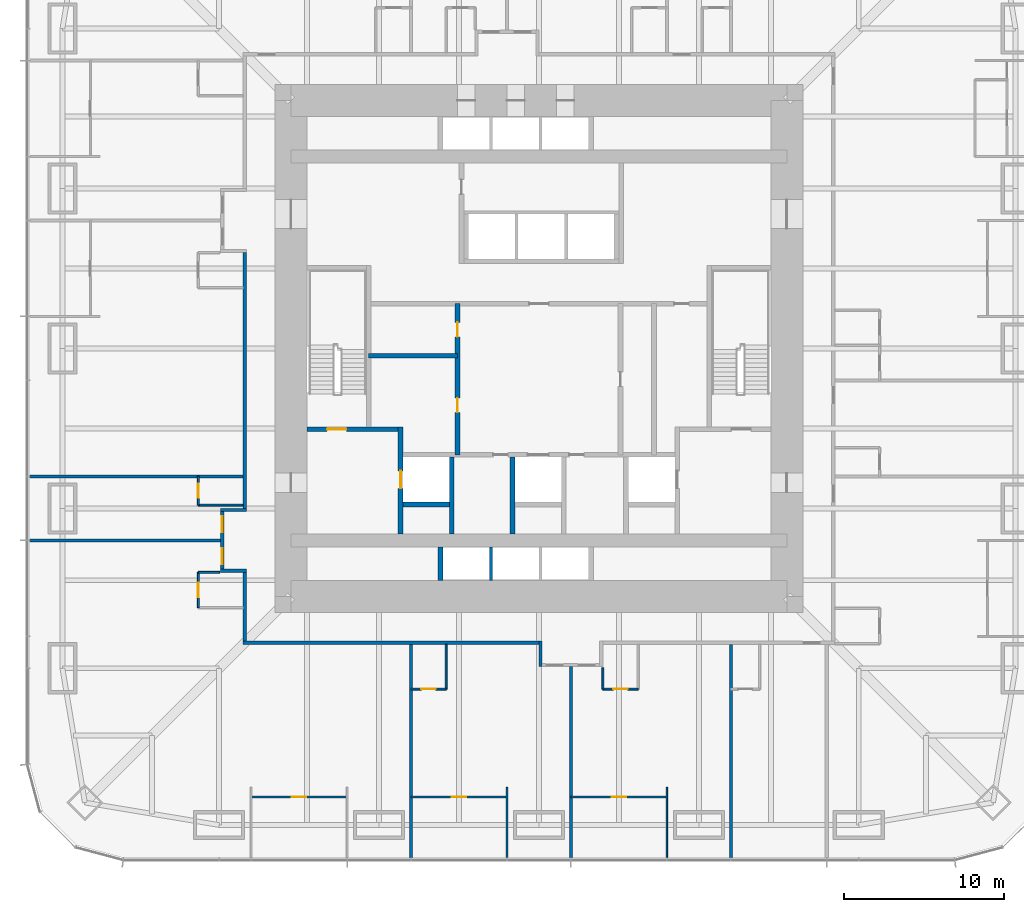
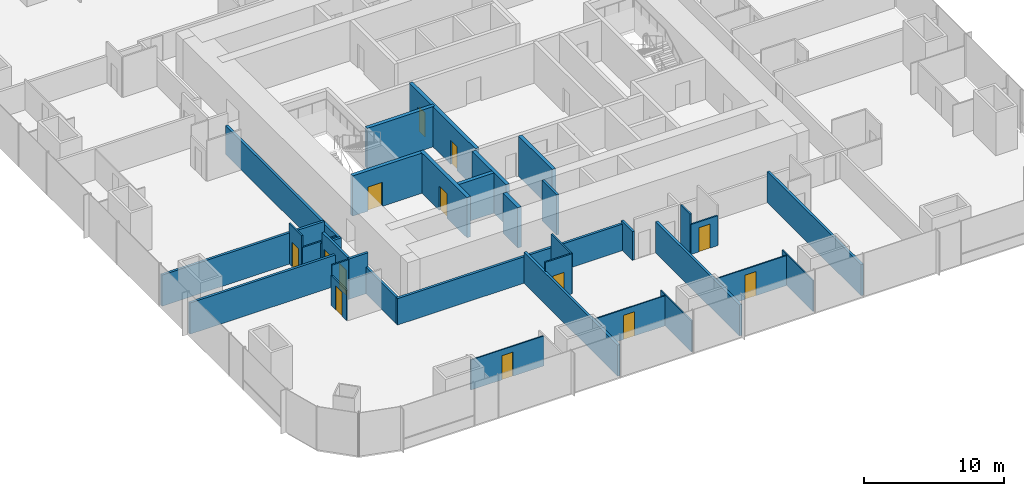
# One storey, part 15 of 20: 34 walls, 13 doors, 13 openings.
"""IFC4 building model written with IfcOpenShell, lengths in metres."""

from ifc_helpers import new_model, si_unit, direction, frame, frame_2d, origin, place, context, subcontext, project, spatial, rectangle, extrude, material, layer, layer_set, type_object, element, fill, save


model = new_model("IFC4")

# Units and contexts
model_context = context("Model", 3, precision=1e-05, world=origin(), true_north=direction((0.0, 1.0)))
body_context = subcontext(model_context, "Body", "Model", "MODEL_VIEW")
ifc_project = project(units=[si_unit("LENGTHUNIT", "METRE"), si_unit("AREAUNIT", "SQUARE_METRE"), si_unit("VOLUMEUNIT", "CUBIC_METRE"), si_unit("PLANEANGLEUNIT", "RADIAN"), si_unit("MASSUNIT", "GRAM", prefix="KILO")], contexts=[model_context])

# Site, building, storey
site_placement = place(None, origin())
site = spatial("IfcSite", under=ifc_project, at=site_placement, CompositionType="ELEMENT")
building_placement = place(site_placement, origin())
building = spatial("IfcBuilding", under=site, at=building_placement, Name="Khuree Lantern Residences", CompositionType="ELEMENT")
storey_placement = place(building_placement, frame((0.0, 0.0, 28.5)))
storey = spatial("IfcBuildingStorey", under=building, at=storey_placement, Name="L06", CompositionType="ELEMENT", Elevation=28.5)

# Wall, opening, door
ifc_material_1 = material(Name="Moisture-resistant gypsum board on steel studs", Category="steel")
ifc_layer_1 = layer(ifc_material_1, 0.125)
ifc_layer_set_1 = layer_set([ifc_layer_1], Name="BATHROOM WALL BTW125")
wall_type_1 = type_object("IfcWallType", Name="BATHROOM WALL BTW125", PredefinedType="PARTITIONING", material=ifc_layer_set_1)
wall_1_placement = place(storey_placement, frame((-21.300048828125, -8.0, 0.0), z_axis=(0.0, 0.0, 1.0), x_axis=(0.0, -1.0, 0.0)))
wall_1 = element("IfcWall", 1, at=wall_1_placement, inside=storey, type_object=wall_type_1, Name="L06 BATHROOM WALL 09", PredefinedType="PARTITIONING", context=body_context, shape_type="SweptSolid", body=[
    extrude(rectangle(XDim=1.800048828125, YDim=0.125, at=frame_2d((0.89990234375, 0.0))), origin(), (0.0, 0.0, 1.0), 3.5),
])
opening_1_placement = place(wall_1_placement, frame((0.449951171875, 0.0, 0.0)))
opening_1 = element("IfcOpeningElement", 2, at=opening_1_placement, cuts=wall_1, Name="Opening 06-047", PredefinedType="OPENING", context=body_context, shape_type="SweptSolid", body=[
    extrude(rectangle(XDim=0.89990234375, YDim=2.10009765625, at=frame_2d((0.449951171875, 1.050048828125))), frame((0.0, 0.072509765625, 0.0), z_axis=(0.0, -1.0, 0.0), x_axis=(1.0, 0.0, 0.0)), (0.0, 0.0, 1.0), 0.14501953125),
])
ifc_material_2 = material(Name="Timber door leaf in hardwood frame", Category="wood")
door_type_1 = type_object("IfcDoorType", Name="BATHROOM DOOR 900X2100", OperationType="SINGLE_SWING_LEFT", PredefinedType="DOOR", material=ifc_material_2)
door_1_placement = place(opening_1_placement, origin())
door_1 = element("IfcDoor", 3, at=door_1_placement, inside=storey, type_object=door_type_1, Name="Bathroom door 06-047", OperationType="SINGLE_SWING_LEFT", OverallHeight=2.10009765625, OverallWidth=0.89990234375, PredefinedType="DOOR", context=body_context, shape_type="SweptSolid", body=[
    extrude(rectangle(XDim=0.89990234375, YDim=2.10009765625, at=frame_2d((0.449951171875, 1.050048828125))), frame((0.0, 0.02490234375, 0.0), z_axis=(0.0, -1.0, 0.0), x_axis=(1.0, 0.0, 0.0)), (0.0, 0.0, 1.0), 0.050048828125),
])
fill(opening_1, door_1)

# Wall
wall_2_placement = place(storey_placement, frame((-18.5, -9.800048828125, 0.0), z_axis=(0.0, 0.0, 1.0), x_axis=(-1.0, 0.0, 0.0)))
element("IfcWall", 4, at=wall_2_placement, inside=storey, type_object=wall_type_1, Name="L06 BATHROOM WALL 09", PredefinedType="PARTITIONING", context=body_context, shape_type="SweptSolid", body=[
    extrude(rectangle(XDim=2.800048828125, YDim=0.125, at=frame_2d((1.39990234375, 0.0))), origin(), (0.0, 0.0, 1.0), 2.491943359375),
])

# Wall, opening, door
wall_3_placement = place(storey_placement, frame((-21.300048828125, -14.0, 0.0), z_axis=(0.0, 0.0, 1.0), x_axis=(0.0, -1.0, 0.0)))
wall_3 = element("IfcWall", 5, at=wall_3_placement, inside=storey, type_object=wall_type_1, Name="L06 BATHROOM WALL 10", PredefinedType="PARTITIONING", context=body_context, shape_type="SweptSolid", body=[
    extrude(rectangle(XDim=2.199951171875, YDim=0.125, at=frame_2d((1.10009765625, 0.0))), origin(), (0.0, 0.0, 1.0), 2.610107421875),
])
opening_2_placement = place(wall_3_placement, frame((0.64990234375, 0.0, 0.0)))
opening_2 = element("IfcOpeningElement", 6, at=opening_2_placement, cuts=wall_3, Name="Opening 06-050", PredefinedType="OPENING", context=body_context, shape_type="SweptSolid", body=[
    extrude(rectangle(XDim=0.89990234375, YDim=2.10009765625, at=frame_2d((0.449951171875, 1.050048828125))), frame((0.0, 0.072509765625, 0.0), z_axis=(0.0, -1.0, 0.0), x_axis=(1.0, 0.0, 0.0)), (0.0, 0.0, 1.0), 0.14501953125),
])
door_2_placement = place(opening_2_placement, origin())
door_2 = element("IfcDoor", 7, at=door_2_placement, inside=storey, type_object=door_type_1, Name="Bathroom door 06-050", OperationType="SINGLE_SWING_LEFT", OverallHeight=2.10009765625, OverallWidth=0.89990234375, PredefinedType="DOOR", context=body_context, shape_type="SweptSolid", body=[
    extrude(rectangle(XDim=0.89990234375, YDim=2.10009765625, at=frame_2d((0.449951171875, 1.050048828125))), frame((0.0, 0.02490234375, 0.0), z_axis=(0.0, -1.0, 0.0), x_axis=(1.0, 0.0, 0.0)), (0.0, 0.0, 1.0), 0.050048828125),
])
fill(opening_2, door_2)

# Wall
wall_4_placement = place(storey_placement, frame((-19.969970703125, -14.0, 0.0), z_axis=(0.0, 0.0, 1.0), x_axis=(-1.0, 0.0, 0.0)))
element("IfcWall", 8, at=wall_4_placement, inside=storey, type_object=wall_type_1, Name="L06 BATHROOM WALL 10", PredefinedType="PARTITIONING", context=body_context, shape_type="SweptSolid", body=[
    extrude(rectangle(XDim=1.330078125, YDim=0.125, at=frame_2d((0.6650390625, 0.0))), origin(), (0.0, 0.0, 1.0), 3.5),
])

# Wall, opening, door
wall_5_placement = place(storey_placement, frame((-8.0, -21.300048828125, 0.0), z_axis=(0.0, 0.0, 1.0), x_axis=(1.0, 0.0, 0.0)))
wall_5 = element("IfcWall", 9, at=wall_5_placement, inside=storey, type_object=wall_type_1, Name="L06 BATHROOM WALL 11", PredefinedType="PARTITIONING", context=body_context, shape_type="SweptSolid", body=[
    extrude(rectangle(XDim=2.199951171875, YDim=0.125, at=frame_2d((1.10009765625, 0.0))), origin(), (0.0, 0.0, 1.0), 3.5),
])
opening_3_placement = place(wall_5_placement, frame((0.64990234375, 0.0, 0.0)))
opening_3 = element("IfcOpeningElement", 10, at=opening_3_placement, cuts=wall_5, Name="Opening 06-053", PredefinedType="OPENING", context=body_context, shape_type="SweptSolid", body=[
    extrude(rectangle(XDim=0.89990234375, YDim=2.10009765625, at=frame_2d((0.449951171875, 1.050048828125))), frame((0.0, 0.072509765625, 0.0), z_axis=(0.0, -1.0, 0.0), x_axis=(1.0, 0.0, 0.0)), (0.0, 0.0, 1.0), 0.14501953125),
])
door_3_placement = place(opening_3_placement, origin())
door_3 = element("IfcDoor", 11, at=door_3_placement, inside=storey, type_object=door_type_1, Name="Bathroom door 06-053", OperationType="SINGLE_SWING_LEFT", OverallHeight=2.10009765625, OverallWidth=0.89990234375, PredefinedType="DOOR", context=body_context, shape_type="SweptSolid", body=[
    extrude(rectangle(XDim=0.89990234375, YDim=2.10009765625, at=frame_2d((0.449951171875, 1.050048828125))), frame((0.0, 0.02490234375, 0.0), z_axis=(0.0, -1.0, 0.0), x_axis=(1.0, 0.0, 0.0)), (0.0, 0.0, 1.0), 0.050048828125),
])
fill(opening_3, door_3)

# Wall
wall_6_placement = place(storey_placement, frame((-5.800048828125, -18.5, 0.0), z_axis=(0.0, 0.0, 1.0), x_axis=(0.0, -1.0, 0.0)))
element("IfcWall", 12, at=wall_6_placement, inside=storey, type_object=wall_type_1, Name="L06 BATHROOM WALL 11", PredefinedType="PARTITIONING", context=body_context, shape_type="SweptSolid", body=[
    extrude(rectangle(XDim=2.800048828125, YDim=0.125, at=frame_2d((1.39990234375, 0.0))), origin(), (0.0, 0.0, 1.0), 3.5),
])

# Wall, opening, door
wall_7_placement = place(storey_placement, frame((4.0, -21.300048828125, 0.0), z_axis=(0.0, 0.0, 1.0), x_axis=(1.0, 0.0, 0.0)))
wall_7 = element("IfcWall", 13, at=wall_7_placement, inside=storey, type_object=wall_type_1, Name="L06 BATHROOM WALL 12", PredefinedType="PARTITIONING", context=body_context, shape_type="SweptSolid", body=[
    extrude(rectangle(XDim=2.199951171875, YDim=0.125, at=frame_2d((1.10009765625, 0.0))), origin(), (0.0, 0.0, 1.0), 2.610107421875),
])
opening_4_placement = place(wall_7_placement, frame((0.64990234375, 0.0, 0.0)))
opening_4 = element("IfcOpeningElement", 14, at=opening_4_placement, cuts=wall_7, Name="Opening 06-056", PredefinedType="OPENING", context=body_context, shape_type="SweptSolid", body=[
    extrude(rectangle(XDim=0.89990234375, YDim=2.10009765625, at=frame_2d((0.449951171875, 1.050048828125))), frame((0.0, 0.072509765625, 0.0), z_axis=(0.0, -1.0, 0.0), x_axis=(1.0, 0.0, 0.0)), (0.0, 0.0, 1.0), 0.14501953125),
])
door_4_placement = place(opening_4_placement, origin())
door_4 = element("IfcDoor", 15, at=door_4_placement, inside=storey, type_object=door_type_1, Name="Bathroom door 06-056", OperationType="SINGLE_SWING_LEFT", OverallHeight=2.10009765625, OverallWidth=0.89990234375, PredefinedType="DOOR", context=body_context, shape_type="SweptSolid", body=[
    extrude(rectangle(XDim=0.89990234375, YDim=2.10009765625, at=frame_2d((0.449951171875, 1.050048828125))), frame((0.0, 0.02490234375, 0.0), z_axis=(0.0, -1.0, 0.0), x_axis=(1.0, 0.0, 0.0)), (0.0, 0.0, 1.0), 0.050048828125),
])
fill(opening_4, door_4)

# Wall
wall_8_placement = place(storey_placement, frame((4.0, -19.969970703125, 0.0), z_axis=(0.0, 0.0, 1.0), x_axis=(0.0, -1.0, 0.0)))
element("IfcWall", 16, at=wall_8_placement, inside=storey, type_object=wall_type_1, Name="L06 BATHROOM WALL 12", PredefinedType="PARTITIONING", context=body_context, shape_type="SweptSolid", body=[
    extrude(rectangle(XDim=1.330078125, YDim=0.125, at=frame_2d((0.6650390625, 0.0))), origin(), (0.0, 0.0, 1.0), 3.5),
])

# Wall, opening, door
ifc_material_3 = material(Name="Dense concrete blockwork", Category="masonry")
ifc_layer_2 = layer(ifc_material_3, 0.300048828125)
ifc_layer_set_2 = layer_set([ifc_layer_2], Name="CORE PARTITION WALL CPW300 EI 120")
wall_type_2 = type_object("IfcWallType", Name="CORE PARTITION WALL CPW300 EI 120", PredefinedType="PARTITIONING", material=ifc_layer_set_2)
wall_9_placement = place(storey_placement, frame((-8.64990234375, -11.60009765625, 0.0), z_axis=(0.0, 0.0, 1.0), x_axis=(0.0, 1.0, 0.0)))
wall_9 = element("IfcWall", 17, at=wall_9_placement, inside=storey, type_object=wall_type_2, Name="L06 CORE WALL FL1W", PredefinedType="PARTITIONING", context=body_context, shape_type="SweptSolid", body=[
    extrude(rectangle(XDim=6.7001953125, YDim=0.300048828125, at=frame_2d((3.35009765625, 0.0))), origin(), (0.0, 0.0, 1.0), 3.5),
])
opening_5_placement = place(wall_9_placement, frame((2.85009765625, 0.0, 0.0)))
opening_5 = element("IfcOpeningElement", 18, at=opening_5_placement, cuts=wall_9, Name="Opening 06-007", PredefinedType="OPENING", context=body_context, shape_type="SweptSolid", body=[
    extrude(rectangle(XDim=1.10009765625, YDim=2.10009765625, at=frame_2d((0.550048828125, 1.050048828125))), frame((0.0, 0.16015625, 0.0), z_axis=(0.0, -1.0, 0.0), x_axis=(1.0, 0.0, 0.0)), (0.0, 0.0, 1.0), 0.320068359375),
])
ifc_material_4 = material(Name="Stainless steel lift landing door", Category="steel")
door_type_2 = type_object("IfcDoorType", Name="LIFT LANDING DOOR 1100X2100 E 120", OperationType="DOUBLE_DOOR_SLIDING", PredefinedType="DOOR", material=ifc_material_4)
door_5_placement = place(opening_5_placement, origin())
door_5 = element("IfcDoor", 19, at=door_5_placement, inside=storey, type_object=door_type_2, Name="Landing door FL1 06-007", OperationType="DOUBLE_DOOR_SLIDING", OverallHeight=2.10009765625, OverallWidth=1.10009765625, PredefinedType="DOOR", context=body_context, shape_type="SweptSolid", body=[
    extrude(rectangle(XDim=1.10009765625, YDim=2.10009765625, at=frame_2d((0.550048828125, 1.050048828125))), frame((0.0, 0.02490234375, 0.0), z_axis=(0.0, -1.0, 0.0), x_axis=(1.0, 0.0, 0.0)), (0.0, 0.0, 1.0), 0.050048828125),
])
fill(opening_5, door_5)

# Walls
for number, where, z_axis, x_axis, name in (
    (20, (-5.449951171875, -11.60009765625, 0.0), (0.0, 0.0, 1.0), (0.0, 1.0, 0.0), "L06 CORE WALL FL1E"),
    (21, (-1.64990234375, -11.60009765625, 0.0), (0.0, 0.0, 1.0), (0.0, 1.0, 0.0), "L06 CORE WALL SL1W"),
):
    element("IfcWall", number, at=place(storey_placement, frame(where, z_axis=z_axis, x_axis=x_axis)), inside=storey, type_object=wall_type_2, Name=name, PredefinedType="PARTITIONING", context=body_context, shape_type="SweptSolid", body=[
        extrude(rectangle(XDim=4.800048828125, YDim=0.300048828125, at=frame_2d((2.39990234375, 0.0))), origin(), (0.0, 0.0, 1.0), 3.5),
    ])
wall_10_placement = place(storey_placement, frame((-8.5, -9.75, 0.0), z_axis=(0.0, 0.0, 1.0), x_axis=(1.0, 0.0, 0.0)))
element("IfcWall", 22, at=wall_10_placement, inside=storey, type_object=wall_type_2, Name="L06 CORE WALL FL1S", PredefinedType="PARTITIONING", context=body_context, shape_type="SweptSolid", body=[
    extrude(rectangle(XDim=2.89990234375, YDim=0.300048828125, at=frame_2d((1.449951171875, 0.0))), origin(), (0.0, 0.0, 1.0), 3.5),
])
wall_11_placement = place(storey_placement, frame((-6.14990234375, -14.5, 0.0), z_axis=(0.0, 0.0, 1.0), x_axis=(0.0, 1.0, 0.0)))
element("IfcWall", 23, at=wall_11_placement, inside=storey, type_object=wall_type_2, Name="L06 CORE WALL PMW", PredefinedType="PARTITIONING", context=body_context, shape_type="SweptSolid", body=[
    extrude(rectangle(XDim=2.10009765625, YDim=0.300048828125, at=frame_2d((1.050048828125, 0.0))), origin(), (0.0, 0.0, 1.0), 3.5),
])

# Wall, openings, doors
wall_12_placement = place(storey_placement, frame((-5.10009765625, -6.64990234375, 0.0), z_axis=(0.0, 0.0, 1.0), x_axis=(0.0, 1.0, 0.0)))
wall_12 = element("IfcWall", 24, at=wall_12_placement, inside=storey, type_object=wall_type_2, Name="L06 CORE WALL SVW", PredefinedType="PARTITIONING", context=body_context, shape_type="SweptSolid", body=[
    extrude(rectangle(XDim=9.449951171875, YDim=0.300048828125, at=frame_2d((4.72509765625, 0.0))), origin(), (0.0, 0.0, 1.0), 3.5),
])
opening_6_placement = place(wall_12_placement, frame((2.64794921875, 0.0, 0.0)))
opening_6 = element("IfcOpeningElement", 25, at=opening_6_placement, cuts=wall_12, Name="Opening 06-016", PredefinedType="OPENING", context=body_context, shape_type="SweptSolid", body=[
    extrude(rectangle(XDim=0.89990234375, YDim=2.10009765625, at=frame_2d((0.449951171875, 1.050048828125))), frame((0.0, 0.16015625, 0.0), z_axis=(0.0, -1.0, 0.0), x_axis=(1.0, 0.0, 0.0)), (0.0, 0.0, 1.0), 0.320068359375),
])
opening_7_placement = place(wall_12_placement, frame((7.373046875, 0.0, 0.0)))
opening_7 = element("IfcOpeningElement", 26, at=opening_7_placement, cuts=wall_12, Name="Opening 06-017", PredefinedType="OPENING", context=body_context, shape_type="SweptSolid", body=[
    extrude(rectangle(XDim=0.89990234375, YDim=2.10009765625, at=frame_2d((0.449951171875, 1.050048828125))), frame((0.0, 0.16015625, 0.0), z_axis=(0.0, -1.0, 0.0), x_axis=(1.0, 0.0, 0.0)), (0.0, 0.0, 1.0), 0.320068359375),
])
door_type_3 = type_object("IfcDoorType", Name="DOOR 900X2100", OperationType="SINGLE_SWING_LEFT", PredefinedType="DOOR", material=ifc_material_2)
door_6_placement = place(opening_6_placement, origin())
door_6 = element("IfcDoor", 27, at=door_6_placement, inside=storey, type_object=door_type_3, Name="Residents' store door 06-016", OperationType="SINGLE_SWING_LEFT", OverallHeight=2.10009765625, OverallWidth=0.89990234375, PredefinedType="DOOR", context=body_context, shape_type="SweptSolid", body=[
    extrude(rectangle(XDim=0.89990234375, YDim=2.10009765625, at=frame_2d((0.449951171875, 1.050048828125))), frame((0.0, 0.02490234375, 0.0), z_axis=(0.0, -1.0, 0.0), x_axis=(1.0, 0.0, 0.0)), (0.0, 0.0, 1.0), 0.050048828125),
])
fill(opening_6, door_6)
door_7_placement = place(opening_7_placement, origin())
door_7 = element("IfcDoor", 28, at=door_7_placement, inside=storey, type_object=door_type_3, Name="Bulky waste store door 06-017", OperationType="SINGLE_SWING_LEFT", OverallHeight=2.10009765625, OverallWidth=0.89990234375, PredefinedType="DOOR", context=body_context, shape_type="SweptSolid", body=[
    extrude(rectangle(XDim=0.89990234375, YDim=2.10009765625, at=frame_2d((0.449951171875, 1.050048828125))), frame((0.0, 0.02490234375, 0.0), z_axis=(0.0, -1.0, 0.0), x_axis=(1.0, 0.0, 0.0)), (0.0, 0.0, 1.0), 0.050048828125),
])
fill(opening_7, door_7)

# Walls
wall_13_placement = place(storey_placement, frame((-10.64990234375, -0.455078125, 0.0), z_axis=(0.0, 0.0, 1.0), x_axis=(1.0, 0.0, 0.0)))
element("IfcWall", 29, at=wall_13_placement, inside=storey, type_object=wall_type_2, Name="L06 CORE WALL WX", PredefinedType="PARTITIONING", context=body_context, shape_type="SweptSolid", body=[
    extrude(rectangle(XDim=5.5498046875, YDim=0.300048828125, at=frame_2d((2.77490234375, 0.0))), origin(), (0.0, 0.0, 1.0), 3.5),
])
ifc_material_5 = material(Name="Gypsum board on steel studs", Category="steel")
ifc_layer_3 = layer(ifc_material_5, 0.199951171875)
ifc_layer_set_3 = layer_set([ifc_layer_3], Name="CORRIDOR WALL CRW200 EI 60")
wall_type_3 = type_object("IfcWallType", Name="CORRIDOR WALL CRW200 EI 60", PredefinedType="PARTITIONING", material=ifc_layer_set_3)
wall_14_placement = place(storey_placement, frame((-18.39990234375, 6.0, 0.0), z_axis=(0.0, 0.0, 1.0), x_axis=(0.0, -1.0, 0.0)))
element("IfcWall", 30, at=wall_14_placement, inside=storey, type_object=wall_type_3, Name="L06 CORRIDOR WALL WEST 2", PredefinedType="PARTITIONING", context=body_context, shape_type="SweptSolid", body=[
    extrude(rectangle(XDim=16.0, YDim=0.199951171875, at=frame_2d((8.0, 0.0))), origin(), (0.0, 0.0, 1.0), 2.491943359375),
])
wall_15_placement = place(storey_placement, frame((-18.300048828125, -10.10009765625, 0.0), z_axis=(0.0, 0.0, 1.0), x_axis=(-1.0, 0.0, 0.0)))
element("IfcWall", 31, at=wall_15_placement, inside=storey, type_object=wall_type_3, Name="L06 CORRIDOR ALCOVE WALL WEST", PredefinedType="PARTITIONING", context=body_context, shape_type="SweptSolid", body=[
    extrude(rectangle(XDim=1.599853515625, YDim=0.199951171875, at=frame_2d((0.7998046875, 0.0))), origin(), (0.0, 0.0, 1.0), 2.491943359375),
])
wall_16_placement = place(storey_placement, frame((-18.300048828125, -13.89990234375, 0.0), z_axis=(0.0, 0.0, 1.0), x_axis=(-1.0, 0.0, 0.0)))
element("IfcWall", 32, at=wall_16_placement, inside=storey, type_object=wall_type_3, Name="L06 CORRIDOR ALCOVE WALL WEST", PredefinedType="PARTITIONING", context=body_context, shape_type="SweptSolid", body=[
    extrude(rectangle(XDim=1.599853515625, YDim=0.199951171875, at=frame_2d((0.7998046875, 0.0))), origin(), (0.0, 0.0, 1.0), 3.5),
])

# Wall, openings, doors
wall_17_placement = place(storey_placement, frame((-19.800048828125, -10.199951171875, 0.0), z_axis=(0.0, 0.0, 1.0), x_axis=(0.0, -1.0, 0.0)))
wall_17 = element("IfcWall", 33, at=wall_17_placement, inside=storey, type_object=wall_type_3, Name="L06 CORRIDOR ALCOVE WALL WEST", PredefinedType="PARTITIONING", context=body_context, shape_type="SweptSolid", body=[
    extrude(rectangle(XDim=3.60009765625, YDim=0.199951171875, at=frame_2d((1.800048828125, 0.0))), origin(), (0.0, 0.0, 1.0), 3.5),
])
opening_8_placement = place(wall_17_placement, frame((0.300048828125, 0.0, 0.0)))
opening_8 = element("IfcOpeningElement", 34, at=opening_8_placement, cuts=wall_17, Name="Opening 06-048", PredefinedType="OPENING", context=body_context, shape_type="SweptSolid", body=[
    extrude(rectangle(XDim=1.0, YDim=2.199951171875, at=frame_2d((0.5, 1.10009765625))), frame((0.0, 0.10986328125, 0.0), z_axis=(0.0, -1.0, 0.0), x_axis=(1.0, 0.0, 0.0)), (0.0, 0.0, 1.0), 0.219970703125),
])
opening_9_placement = place(wall_17_placement, frame((2.300048828125, 0.0, 0.0)))
opening_9 = element("IfcOpeningElement", 35, at=opening_9_placement, cuts=wall_17, Name="Opening 06-051", PredefinedType="OPENING", context=body_context, shape_type="SweptSolid", body=[
    extrude(rectangle(XDim=1.0, YDim=2.199951171875, at=frame_2d((0.5, 1.10009765625))), frame((0.0, 0.10986328125, 0.0), z_axis=(0.0, -1.0, 0.0), x_axis=(1.0, 0.0, 0.0)), (0.0, 0.0, 1.0), 0.219970703125),
])
door_type_4 = type_object("IfcDoorType", Name="APARTMENT ENTRANCE DOOR 1000X2200 EI 30S", OperationType="SINGLE_SWING_LEFT", PredefinedType="DOOR", material=ifc_material_2)
door_8_placement = place(opening_8_placement, origin())
door_8 = element("IfcDoor", 36, at=door_8_placement, inside=storey, type_object=door_type_4, Name="Apartment 09 entrance door 06-048", OperationType="SINGLE_SWING_LEFT", OverallHeight=2.199951171875, OverallWidth=1.0, PredefinedType="DOOR", context=body_context, shape_type="SweptSolid", body=[
    extrude(rectangle(XDim=1.0, YDim=2.199951171875, at=frame_2d((0.5, 1.10009765625))), frame((0.0, 0.02490234375, 0.0), z_axis=(0.0, -1.0, 0.0), x_axis=(1.0, 0.0, 0.0)), (0.0, 0.0, 1.0), 0.050048828125),
])
fill(opening_8, door_8)
door_type_5 = type_object("IfcDoorType", Name="APARTMENT ENTRANCE DOOR 1000X2200 EI 30S RIGHT HAND", OperationType="SINGLE_SWING_RIGHT", PredefinedType="DOOR", material=ifc_material_2)
door_9_placement = place(opening_9_placement, origin())
door_9 = element("IfcDoor", 37, at=door_9_placement, inside=storey, type_object=door_type_5, Name="Apartment 10 entrance door 06-051", OperationType="SINGLE_SWING_RIGHT", OverallHeight=2.199951171875, OverallWidth=1.0, PredefinedType="DOOR", context=body_context, shape_type="SweptSolid", body=[
    extrude(rectangle(XDim=1.0, YDim=2.199951171875, at=frame_2d((0.5, 1.10009765625))), frame((0.0, 0.02490234375, 0.0), z_axis=(0.0, -1.0, 0.0), x_axis=(1.0, 0.0, 0.0)), (0.0, 0.0, 1.0), 0.050048828125),
])
fill(opening_9, door_9)

# Walls
wall_18_placement = place(storey_placement, frame((-18.39990234375, -14.0, 0.0), z_axis=(0.0, 0.0, 1.0), x_axis=(0.0, -1.0, 0.0)))
element("IfcWall", 38, at=wall_18_placement, inside=storey, type_object=wall_type_3, Name="L06 CORRIDOR WALL WEST 3", PredefinedType="PARTITIONING", context=body_context, shape_type="SweptSolid", body=[
    extrude(rectangle(XDim=4.300048828125, YDim=0.199951171875, at=frame_2d((2.14990234375, 0.0))), origin(), (0.0, 0.0, 1.0), 2.300048828125),
])
wall_19_placement = place(storey_placement, frame((0.10009765625, -18.300048828125, 0.0), z_axis=(0.0, 0.0, 1.0), x_axis=(0.0, -1.0, 0.0)))
element("IfcWall", 39, at=wall_19_placement, inside=storey, type_object=wall_type_3, Name="L06 CORRIDOR ALCOVE WALL SOUTH", PredefinedType="PARTITIONING", context=body_context, shape_type="SweptSolid", body=[
    extrude(rectangle(XDim=1.599853515625, YDim=0.199951171875, at=frame_2d((0.7998046875, 0.0))), origin(), (0.0, 0.0, 1.0), 2.491943359375),
])
wall_20_placement = place(storey_placement, frame((0.0, -18.39990234375, 0.0), z_axis=(0.0, 0.0, 1.0), x_axis=(-1.0, 0.0, 0.0)))
element("IfcWall", 40, at=wall_20_placement, inside=storey, type_object=wall_type_3, Name="L06 CORRIDOR WALL SOUTH 2", PredefinedType="PARTITIONING", context=body_context, shape_type="SweptSolid", body=[
    extrude(rectangle(XDim=18.5, YDim=0.199951171875, at=frame_2d((9.25, 0.0))), origin(), (0.0, 0.0, 1.0), 2.300048828125),
])
ifc_layer_4 = layer(ifc_material_5, 0.199951171875)
ifc_layer_set_4 = layer_set([ifc_layer_4], Name="DEMISING WALL DMW200 EI 90")
wall_type_4 = type_object("IfcWallType", Name="DEMISING WALL DMW200 EI 90", PredefinedType="PARTITIONING", material=ifc_layer_set_4)
wall_21_placement = place(storey_placement, frame((-18.5, -8.0, 0.0), z_axis=(0.0, 0.0, 1.0), x_axis=(-1.0, 0.0, 0.0)))
element("IfcWall", 41, at=wall_21_placement, inside=storey, type_object=wall_type_4, Name="L06 DEMISING WALL 09", PredefinedType="PARTITIONING", context=body_context, shape_type="SweptSolid", body=[
    extrude(rectangle(XDim=13.35009765625, YDim=0.199951171875, at=frame_2d((6.675048828125, 0.0))), origin(), (0.0, 0.0, 1.0), 2.7099609375),
])
wall_22_placement = place(storey_placement, frame((-19.89990234375, -12.0, 0.0), z_axis=(0.0, 0.0, 1.0), x_axis=(-1.0, 0.0, 0.0)))
element("IfcWall", 42, at=wall_22_placement, inside=storey, type_object=wall_type_4, Name="L06 DEMISING WALL 10", PredefinedType="PARTITIONING", context=body_context, shape_type="SweptSolid", body=[
    extrude(rectangle(XDim=11.9501953125, YDim=0.199951171875, at=frame_2d((5.97509765625, 0.0))), origin(), (0.0, 0.0, 1.0), 2.7099609375),
])
wall_23_placement = place(storey_placement, frame((-8.0, -18.5, 0.0), z_axis=(0.0, 0.0, 1.0), x_axis=(0.0, -1.0, 0.0)))
element("IfcWall", 43, at=wall_23_placement, inside=storey, type_object=wall_type_4, Name="L06 DEMISING WALL 11", PredefinedType="PARTITIONING", context=body_context, shape_type="SweptSolid", body=[
    extrude(rectangle(XDim=13.35009765625, YDim=0.199951171875, at=frame_2d((6.675048828125, 0.0))), origin(), (0.0, 0.0, 1.0), 2.7099609375),
])
wall_24_placement = place(storey_placement, frame((2.0, -19.89990234375, 0.0), z_axis=(0.0, 0.0, 1.0), x_axis=(0.0, -1.0, 0.0)))
element("IfcWall", 44, at=wall_24_placement, inside=storey, type_object=wall_type_4, Name="L06 DEMISING WALL 12", PredefinedType="PARTITIONING", context=body_context, shape_type="SweptSolid", body=[
    extrude(rectangle(XDim=11.9501953125, YDim=0.199951171875, at=frame_2d((5.97509765625, 0.0))), origin(), (0.0, 0.0, 1.0), 2.7099609375),
])
wall_25_placement = place(storey_placement, frame((12.0, -18.5, 0.0), z_axis=(0.0, 0.0, 1.0), x_axis=(0.0, -1.0, 0.0)))
element("IfcWall", 45, at=wall_25_placement, inside=storey, type_object=wall_type_4, Name="L06 DEMISING WALL 13", PredefinedType="PARTITIONING", context=body_context, shape_type="SweptSolid", body=[
    extrude(rectangle(XDim=13.35009765625, YDim=0.199951171875, at=frame_2d((6.675048828125, 0.0))), origin(), (0.0, 0.0, 1.0), 2.7099609375),
])
ifc_layer_5 = layer(ifc_material_5, 0.10009765625)
ifc_layer_set_5 = layer_set([ifc_layer_5], Name="PARTITION PT100")
wall_type_5 = type_object("IfcWallType", Name="PARTITION PT100", PredefinedType="PARTITIONING", material=ifc_layer_set_5)
for number, where, z_axis, x_axis, name in (
    (46, (-2.0, -27.449951171875, 0.0), (0.0, 0.0, 1.0), (0.0, -1.0, 0.0), "L06 PARTITION 11"),
    (47, (8.0, -27.449951171875, 0.0), (0.0, 0.0, 1.0), (0.0, -1.0, 0.0), "L06 PARTITION 12"),
):
    element("IfcWall", number, at=place(storey_placement, frame(where, z_axis=z_axis, x_axis=x_axis)), inside=storey, type_object=wall_type_5, Name=name, PredefinedType="PARTITIONING", context=body_context, shape_type="SweptSolid", body=[
        extrude(rectangle(XDim=4.400146484375, YDim=0.10009765625, at=frame_2d((2.2001953125, 0.0))), origin(), (0.0, 0.0, 1.0), 2.7099609375),
    ])

# Wall, opening, door
wall_26_placement = place(storey_placement, frame((-18.0, -28.050048828125, 0.0), z_axis=(0.0, 0.0, 1.0), x_axis=(1.0, 0.0, 0.0)))
wall_26 = element("IfcWall", 48, at=wall_26_placement, inside=storey, type_object=wall_type_5, Name="L06 PARTITION 10", PredefinedType="PARTITIONING", context=body_context, shape_type="SweptSolid", body=[
    extrude(rectangle(XDim=6.0, YDim=0.10009765625, at=frame_2d((3.0, 0.0))), origin(), (0.0, 0.0, 1.0), 2.610107421875),
])
opening_10_placement = place(wall_26_placement, frame((2.550048828125, 0.0, 0.0)))
opening_10 = element("IfcOpeningElement", 49, at=opening_10_placement, cuts=wall_26, Name="Opening 06-049", PredefinedType="OPENING", context=body_context, shape_type="SweptSolid", body=[
    extrude(rectangle(XDim=0.89990234375, YDim=2.10009765625, at=frame_2d((0.449951171875, 1.050048828125))), frame((0.0, 0.06005859375, 0.0), z_axis=(0.0, -1.0, 0.0), x_axis=(1.0, 0.0, 0.0)), (0.0, 0.0, 1.0), 0.1201171875),
])
door_type_6 = type_object("IfcDoorType", Name="BEDROOM DOOR 900X2100", OperationType="SINGLE_SWING_LEFT", PredefinedType="DOOR", material=ifc_material_2)
door_10_placement = place(opening_10_placement, origin())
door_10 = element("IfcDoor", 50, at=door_10_placement, inside=storey, type_object=door_type_6, Name="Bedroom door 06-049", OperationType="SINGLE_SWING_LEFT", OverallHeight=2.10009765625, OverallWidth=0.89990234375, PredefinedType="DOOR", context=body_context, shape_type="SweptSolid", body=[
    extrude(rectangle(XDim=0.89990234375, YDim=2.10009765625, at=frame_2d((0.449951171875, 1.050048828125))), frame((0.0, 0.02490234375, 0.0), z_axis=(0.0, -1.0, 0.0), x_axis=(1.0, 0.0, 0.0)), (0.0, 0.0, 1.0), 0.050048828125),
])
fill(opening_10, door_10)

wall_27_placement = place(storey_placement, frame((-8.0, -28.050048828125, 0.0), z_axis=(0.0, 0.0, 1.0), x_axis=(1.0, 0.0, 0.0)))
wall_27 = element("IfcWall", 51, at=wall_27_placement, inside=storey, type_object=wall_type_5, Name="L06 PARTITION 11", PredefinedType="PARTITIONING", context=body_context, shape_type="SweptSolid", body=[
    extrude(rectangle(XDim=6.0, YDim=0.10009765625, at=frame_2d((3.0, 0.0))), origin(), (0.0, 0.0, 1.0), 2.610107421875),
])
opening_11_placement = place(wall_27_placement, frame((2.550048828125, 0.0, 0.0)))
opening_11 = element("IfcOpeningElement", 52, at=opening_11_placement, cuts=wall_27, Name="Opening 06-052", PredefinedType="OPENING", context=body_context, shape_type="SweptSolid", body=[
    extrude(rectangle(XDim=0.89990234375, YDim=2.10009765625, at=frame_2d((0.449951171875, 1.050048828125))), frame((0.0, 0.06005859375, 0.0), z_axis=(0.0, -1.0, 0.0), x_axis=(1.0, 0.0, 0.0)), (0.0, 0.0, 1.0), 0.1201171875),
])
door_11_placement = place(opening_11_placement, origin())
door_11 = element("IfcDoor", 53, at=door_11_placement, inside=storey, type_object=door_type_6, Name="Bedroom door 06-052", OperationType="SINGLE_SWING_LEFT", OverallHeight=2.10009765625, OverallWidth=0.89990234375, PredefinedType="DOOR", context=body_context, shape_type="SweptSolid", body=[
    extrude(rectangle(XDim=0.89990234375, YDim=2.10009765625, at=frame_2d((0.449951171875, 1.050048828125))), frame((0.0, 0.02490234375, 0.0), z_axis=(0.0, -1.0, 0.0), x_axis=(1.0, 0.0, 0.0)), (0.0, 0.0, 1.0), 0.050048828125),
])
fill(opening_11, door_11)

wall_28_placement = place(storey_placement, frame((2.0, -28.050048828125, 0.0), z_axis=(0.0, 0.0, 1.0), x_axis=(1.0, 0.0, 0.0)))
wall_28 = element("IfcWall", 54, at=wall_28_placement, inside=storey, type_object=wall_type_5, Name="L06 PARTITION 12", PredefinedType="PARTITIONING", context=body_context, shape_type="SweptSolid", body=[
    extrude(rectangle(XDim=6.0, YDim=0.10009765625, at=frame_2d((3.0, 0.0))), origin(), (0.0, 0.0, 1.0), 2.610107421875),
])
opening_12_placement = place(wall_28_placement, frame((2.550048828125, 0.0, 0.0)))
opening_12 = element("IfcOpeningElement", 55, at=opening_12_placement, cuts=wall_28, Name="Opening 06-055", PredefinedType="OPENING", context=body_context, shape_type="SweptSolid", body=[
    extrude(rectangle(XDim=0.89990234375, YDim=2.10009765625, at=frame_2d((0.449951171875, 1.050048828125))), frame((0.0, 0.06005859375, 0.0), z_axis=(0.0, -1.0, 0.0), x_axis=(1.0, 0.0, 0.0)), (0.0, 0.0, 1.0), 0.1201171875),
])
door_12_placement = place(opening_12_placement, origin())
door_12 = element("IfcDoor", 56, at=door_12_placement, inside=storey, type_object=door_type_6, Name="Bedroom door 06-055", OperationType="SINGLE_SWING_LEFT", OverallHeight=2.10009765625, OverallWidth=0.89990234375, PredefinedType="DOOR", context=body_context, shape_type="SweptSolid", body=[
    extrude(rectangle(XDim=0.89990234375, YDim=2.10009765625, at=frame_2d((0.449951171875, 1.050048828125))), frame((0.0, 0.02490234375, 0.0), z_axis=(0.0, -1.0, 0.0), x_axis=(1.0, 0.0, 0.0)), (0.0, 0.0, 1.0), 0.050048828125),
])
fill(opening_12, door_12)

# Wall
ifc_layer_6 = layer(ifc_material_3, 0.199951171875)
ifc_layer_set_6 = layer_set([ifc_layer_6], Name="SHAFT WALL SHW200 EI 120")
wall_type_6 = type_object("IfcWallType", Name="SHAFT WALL SHW200 EI 120", PredefinedType="PARTITIONING", material=ifc_layer_set_6)
wall_29_placement = place(storey_placement, frame((-3.0, -14.5, 0.0), z_axis=(0.0, 0.0, 1.0), x_axis=(0.0, 1.0, 0.0)))
element("IfcWall", 57, at=wall_29_placement, inside=storey, type_object=wall_type_6, Name="L06 CORE WALL PMD1", PredefinedType="PARTITIONING", context=body_context, shape_type="SweptSolid", body=[
    extrude(rectangle(XDim=2.10009765625, YDim=0.199951171875, at=frame_2d((1.050048828125, 0.0))), origin(), (0.0, 0.0, 1.0), 3.5),
])

# Wall, opening, door
ifc_material_6 = material(Name="Concrete C50/60", Category="concrete")
ifc_layer_7 = layer(ifc_material_6, 0.300048828125)
ifc_layer_set_7 = layer_set([ifc_layer_7], Name="STAIR WALL SRW300 C50/60 REI 240")
wall_type_7 = type_object("IfcWallType", Name="STAIR WALL SRW300 C50/60 REI 240", PredefinedType="SOLIDWALL", material=ifc_layer_set_7)
wall_30_placement = place(storey_placement, frame((-14.5, -5.050048828125, 0.0), z_axis=(0.0, 0.0, 1.0), x_axis=(1.0, 0.0, 0.0)))
wall_30 = element("IfcWall", 58, at=wall_30_placement, inside=storey, type_object=wall_type_7, Name="L06 STAIR WALL ST1S", PredefinedType="SOLIDWALL", context=body_context, shape_type="SweptSolid", body=[
    extrude(rectangle(XDim=5.699951171875, YDim=0.300048828125, at=frame_2d((2.85009765625, 0.0))), origin(), (0.0, 0.0, 1.0), 3.5),
])
opening_13_placement = place(wall_30_placement, frame((1.25, 0.0, 0.0)))
opening_13 = element("IfcOpeningElement", 59, at=opening_13_placement, cuts=wall_30, Name="Opening 06-001", PredefinedType="OPENING", context=body_context, shape_type="SweptSolid", body=[
    extrude(rectangle(XDim=1.199951171875, YDim=2.10009765625, at=frame_2d((0.60009765625, 1.050048828125))), frame((0.0, 0.16015625, 0.0), z_axis=(0.0, -1.0, 0.0), x_axis=(1.0, 0.0, 0.0)), (0.0, 0.0, 1.0), 0.320068359375),
])
ifc_material_7 = material(Name="Steel door leaf in steel frame", Category="steel")
door_type_7 = type_object("IfcDoorType", Name="STAIR DOOR 1200X2100 EI 120", OperationType="SINGLE_SWING_LEFT", PredefinedType="DOOR", material=ifc_material_7)
door_13_placement = place(opening_13_placement, origin())
door_13 = element("IfcDoor", 60, at=door_13_placement, inside=storey, type_object=door_type_7, Name="Stair ST1 door 06-001", OperationType="SINGLE_SWING_LEFT", OverallHeight=2.10009765625, OverallWidth=1.199951171875, PredefinedType="DOOR", context=body_context, shape_type="SweptSolid", body=[
    extrude(rectangle(XDim=1.199951171875, YDim=2.10009765625, at=frame_2d((0.60009765625, 1.050048828125))), frame((0.0, 0.02490234375, 0.0), z_axis=(0.0, -1.0, 0.0), x_axis=(1.0, 0.0, 0.0)), (0.0, 0.0, 1.0), 0.050048828125),
])
fill(opening_13, door_13)

save(model, "model.ifc")
